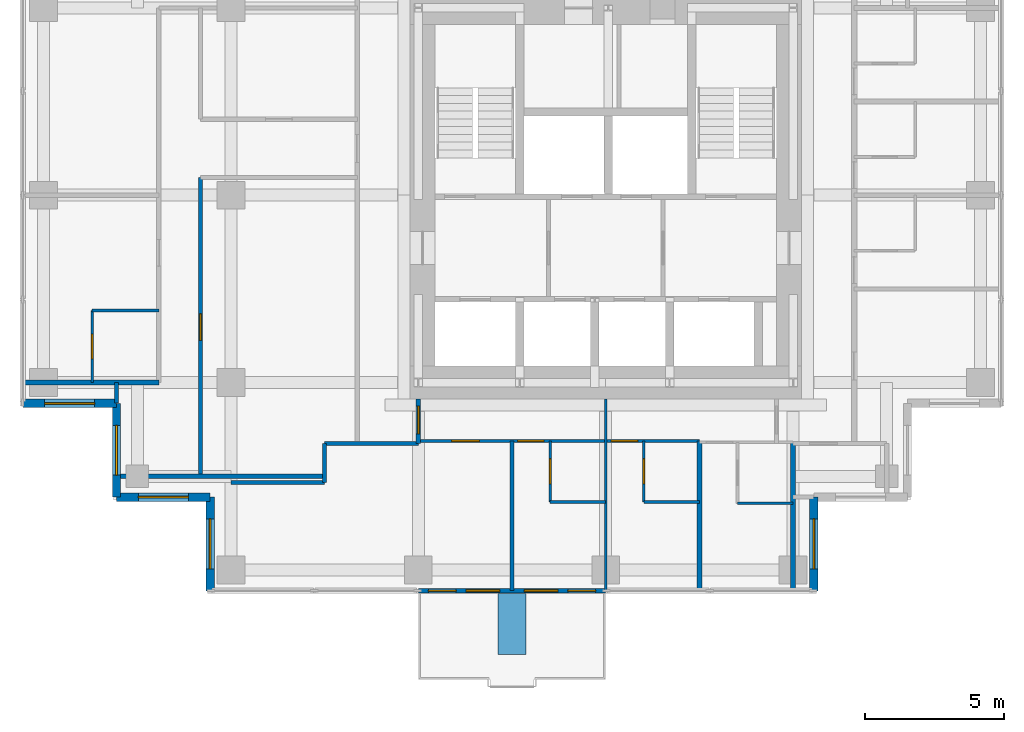
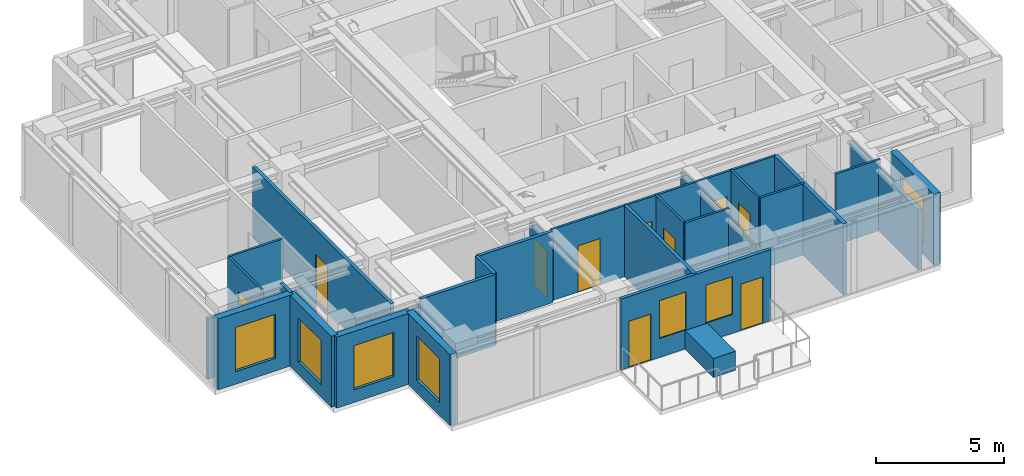
# One storey, part 3 of 8: 27 walls, 10 doors, 7 windows, 17 openings.
"""IFC4 building model written with IfcOpenShell, lengths in metres."""

from ifc_helpers import new_model, si_unit, direction, frame, frame_2d, origin, place, context, subcontext, project, spatial, rectangle, extrude, material, layer, layer_set, type_object, element, fill, save


model = new_model("IFC4")

# Units and contexts
model_context = context("Model", 3, precision=1e-05, world=origin(), true_north=direction((0.0, 1.0)))
body_context = subcontext(model_context, "Body", "Model", "MODEL_VIEW")
ifc_project = project(units=[si_unit("LENGTHUNIT", "METRE"), si_unit("AREAUNIT", "SQUARE_METRE"), si_unit("VOLUMEUNIT", "CUBIC_METRE"), si_unit("PLANEANGLEUNIT", "RADIAN"), si_unit("MASSUNIT", "GRAM", prefix="KILO")], contexts=[model_context])

# Site, building, storey
site_placement = place(None, origin())
site = spatial("IfcSite", under=ifc_project, at=site_placement, CompositionType="ELEMENT")
building_placement = place(site_placement, origin())
building = spatial("IfcBuilding", under=site, at=building_placement, Name="Nyansa Garden Tower", CompositionType="ELEMENT")
storey_placement = place(building_placement, frame((0.0, 0.0, 233.10009765625)))
storey = spatial("IfcBuildingStorey", under=building, at=storey_placement, Name="L63", CompositionType="ELEMENT", Elevation=233.10009765625)

# Walls
ifc_material_1 = material(Name="Dense blockwork, plastered both sides, 55 dB", Category="masonry")
ifc_layer_1 = layer(ifc_material_1, 0.175048828125)
ifc_layer_set_1 = layer_set([ifc_layer_1], Name="Acoustic party wall PW175")
wall_type_1 = type_object("IfcWallType", Name="Acoustic party wall PW175", PredefinedType="PARTITIONING", material=ifc_layer_set_1)
wall_1_placement = place(storey_placement, frame((-0.73388671875, 13.5, 0.0), z_axis=(0.0, 0.0, 1.0), x_axis=(1.0, 0.0, 0.0)))
element("IfcWall", 1, at=wall_1_placement, inside=storey, type_object=wall_type_1, Name="Party wall", PredefinedType="PARTITIONING", context=body_context, shape_type="SweptSolid", body=[
    extrude(rectangle(XDim=4.8837890625, YDim=0.175048828125, at=frame_2d((2.44189453125, 0.0))), origin(), (0.0, 0.0, 1.0), 2.876953125),
])
wall_2_placement = place(storey_placement, frame((23.625, 6.01611328125, 0.0), z_axis=(0.0, 0.0, 1.0), x_axis=(0.0, 1.0, 0.0)))
element("IfcWall", 2, at=wall_2_placement, inside=storey, type_object=wall_type_1, Name="Party wall", PredefinedType="PARTITIONING", context=body_context, shape_type="SweptSolid", body=[
    extrude(rectangle(XDim=5.3837890625, YDim=0.175048828125, at=frame_2d((2.69189453125, 0.0))), origin(), (0.0, 0.0, 1.0), 3.375),
])
wall_3_placement = place(storey_placement, frame((27.0, 6.01611328125, 0.0), z_axis=(0.0, 0.0, 1.0), x_axis=(0.0, 1.0, 0.0)))
element("IfcWall", 3, at=wall_3_placement, inside=storey, type_object=wall_type_1, Name="Party wall", PredefinedType="PARTITIONING", context=body_context, shape_type="SweptSolid", body=[
    extrude(rectangle(XDim=5.333984375, YDim=0.175048828125, at=frame_2d((2.6669921875, 0.0))), origin(), (0.0, 0.0, 1.0), 2.876953125),
])

# Wall, openings, doors, windows
ifc_material_2 = material(Name="Black aluminium framed glazed screen", Category="aluminium")
ifc_layer_2 = layer(ifc_material_2, 0.14990234375)
ifc_layer_set_2 = layer_set([ifc_layer_2], Name="Balcony screen wall BW150")
wall_type_2 = type_object("IfcWallType", Name="Balcony screen wall BW150", PredefinedType="SOLIDWALL", material=ifc_layer_set_2)
wall_4_placement = place(storey_placement, frame((20.25, 6.0, 0.0), z_axis=(0.0, 0.0, 1.0), x_axis=(-1.0, 0.0, 0.0)))
wall_4 = element("IfcWall", 4, at=wall_4_placement, inside=storey, type_object=wall_type_2, Name="Glazed screen wall L63 S", PredefinedType="SOLIDWALL", context=body_context, shape_type="SweptSolid", body=[
    extrude(rectangle(XDim=6.75, YDim=0.14990234375, at=frame_2d((3.375, 0.0))), origin(), (0.0, 0.0, 1.0), 3.375),
])
opening_1_placement = place(wall_4_placement, frame((0.362548828125, 0.0, 0.0)))
opening_1 = element("IfcOpeningElement", 5, at=opening_1_placement, cuts=wall_4, Name="Opening D20", PredefinedType="OPENING", context=body_context, shape_type="SweptSolid", body=[
    extrude(rectangle(XDim=1.0, YDim=2.199951171875, at=frame_2d((0.5, 1.10009765625))), frame((0.0, 0.0849609375, 0.0), z_axis=(0.0, -1.0, 0.0), x_axis=(1.0, 0.0, 0.0)), (0.0, 0.0, 1.0), 0.169921875),
])
opening_2_placement = place(wall_4_placement, frame((1.72509765625, 0.0, 0.89990234375)))
opening_2 = element("IfcOpeningElement", 6, at=opening_2_placement, cuts=wall_4, Name="Opening W6", PredefinedType="OPENING", context=body_context, shape_type="SweptSolid", body=[
    extrude(rectangle(XDim=1.199951171875, YDim=1.800048828125, at=frame_2d((0.60009765625, 0.89990234375))), frame((0.0, 0.0849609375, 0.0), z_axis=(0.0, -1.0, 0.0), x_axis=(1.0, 0.0, 0.0)), (0.0, 0.0, 1.0), 0.169921875),
])
opening_3_placement = place(wall_4_placement, frame((5.387451171875, 0.0, 0.0)))
opening_3 = element("IfcOpeningElement", 7, at=opening_3_placement, cuts=wall_4, Name="Opening D20", PredefinedType="OPENING", context=body_context, shape_type="SweptSolid", body=[
    extrude(rectangle(XDim=1.0, YDim=2.199951171875, at=frame_2d((0.5, 1.10009765625))), frame((0.0, 0.0849609375, 0.0), z_axis=(0.0, -1.0, 0.0), x_axis=(1.0, 0.0, 0.0)), (0.0, 0.0, 1.0), 0.169921875),
])
opening_4_placement = place(wall_4_placement, frame((3.824951171875, 0.0, 0.89990234375)))
opening_4 = element("IfcOpeningElement", 8, at=opening_4_placement, cuts=wall_4, Name="Opening W6", PredefinedType="OPENING", context=body_context, shape_type="SweptSolid", body=[
    extrude(rectangle(XDim=1.199951171875, YDim=1.800048828125, at=frame_2d((0.60009765625, 0.89990234375))), frame((0.0, 0.0849609375, 0.0), z_axis=(0.0, -1.0, 0.0), x_axis=(1.0, 0.0, 0.0)), (0.0, 0.0, 1.0), 0.169921875),
])
ifc_material_3 = material(Name="Black aluminium framed glazed door", Category="aluminium")
door_type_1 = type_object("IfcDoorType", Name="Balcony door D20 1000x2200", OperationType="NOTDEFINED", PredefinedType="DOOR", material=ifc_material_3)
door_1_placement = place(opening_1_placement, origin())
door_1 = element("IfcDoor", 9, at=door_1_placement, inside=storey, type_object=door_type_1, Name="Balcony door L63", OperationType="SINGLE_SWING_LEFT", OverallHeight=2.199951171875, OverallWidth=1.0, PredefinedType="DOOR", context=body_context, shape_type="SweptSolid", body=[
    extrude(rectangle(XDim=1.0, YDim=2.199951171875, at=frame_2d((0.5, 1.10009765625))), frame((0.0, 0.02490234375, 0.0), z_axis=(0.0, -1.0, 0.0), x_axis=(1.0, 0.0, 0.0)), (0.0, 0.0, 1.0), 0.050048828125),
])
fill(opening_1, door_1)
door_2_placement = place(opening_3_placement, origin())
door_2 = element("IfcDoor", 10, at=door_2_placement, inside=storey, type_object=door_type_1, Name="Balcony door L63", OperationType="SINGLE_SWING_RIGHT", OverallHeight=2.199951171875, OverallWidth=1.0, PredefinedType="DOOR", context=body_context, shape_type="SweptSolid", body=[
    extrude(rectangle(XDim=1.0, YDim=2.199951171875, at=frame_2d((0.5, 1.10009765625))), frame((0.0, 0.02490234375, 0.0), z_axis=(0.0, -1.0, 0.0), x_axis=(1.0, 0.0, 0.0)), (0.0, 0.0, 1.0), 0.050048828125),
])
fill(opening_3, door_2)
ifc_material_4 = material(Name="Black aluminium frame, dark tinted double glazing", Category="aluminium")
window_type_1 = type_object("IfcWindowType", Name="Balcony window W6 1200x1800", PartitioningType="SINGLE_PANEL", PredefinedType="WINDOW", material=ifc_material_4)
window_1_placement = place(opening_2_placement, origin())
window_1 = element("IfcWindow", 11, at=window_1_placement, inside=storey, type_object=window_type_1, Name="Window L63", OverallHeight=1.800048828125, OverallWidth=1.199951171875, PartitioningType="SINGLE_PANEL", PredefinedType="WINDOW", context=body_context, shape_type="SweptSolid", body=[
    extrude(rectangle(XDim=1.199951171875, YDim=1.800048828125, at=frame_2d((0.60009765625, 0.89990234375))), frame((0.0, 0.030029296875, 0.0), z_axis=(0.0, -1.0, 0.0), x_axis=(1.0, 0.0, 0.0)), (0.0, 0.0, 1.0), 0.06005859375),
])
fill(opening_2, window_1)
window_2_placement = place(opening_4_placement, origin())
window_2 = element("IfcWindow", 12, at=window_2_placement, inside=storey, type_object=window_type_1, Name="Window L63", OverallHeight=1.800048828125, OverallWidth=1.199951171875, PartitioningType="SINGLE_PANEL", PredefinedType="WINDOW", context=body_context, shape_type="SweptSolid", body=[
    extrude(rectangle(XDim=1.199951171875, YDim=1.800048828125, at=frame_2d((0.60009765625, 0.89990234375))), frame((0.0, 0.030029296875, 0.0), z_axis=(0.0, -1.0, 0.0), x_axis=(1.0, 0.0, 0.0)), (0.0, 0.0, 1.0), 0.06005859375),
])
fill(opening_4, window_2)

# Walls
ifc_material_5 = material(Name="Blockwork, plastered both sides", Category="masonry")
ifc_layer_3 = layer(ifc_material_5, 0.14990234375)
ifc_layer_set_3 = layer_set([ifc_layer_3], Name="Partition PW150")
wall_type_3 = type_object("IfcWallType", Name="Partition PW150", PredefinedType="PARTITIONING", material=ifc_layer_set_3)
wall_5_placement = place(storey_placement, frame((2.625, 12.76611328125, 0.0), z_axis=(0.0, 0.0, 1.0), x_axis=(0.0, 1.0, 0.0)))
element("IfcWall", 13, at=wall_5_placement, inside=storey, type_object=wall_type_3, Name="Partition", PredefinedType="PARTITIONING", context=body_context, shape_type="SweptSolid", body=[
    extrude(rectangle(XDim=0.73388671875, YDim=0.14990234375, at=frame_2d((0.366943359375, 0.0))), origin(), (0.0, 0.0, 1.0), 3.375),
])
wall_6_placement = place(storey_placement, frame((2.77490234375, 10.125, 0.0), z_axis=(0.0, 0.0, 1.0), x_axis=(1.0, 0.0, 0.0)))
element("IfcWall", 14, at=wall_6_placement, inside=storey, type_object=wall_type_3, Name="Partition", PredefinedType="PARTITIONING", context=body_context, shape_type="SweptSolid", body=[
    extrude(rectangle(XDim=7.35009765625, YDim=0.14990234375, at=frame_2d((3.675048828125, 0.0))), origin(), (0.0, 0.0, 1.0), 2.876953125),
])

# Wall, opening, door
wall_7_placement = place(storey_placement, frame((5.64990234375, 10.125, 0.0), z_axis=(0.0, 0.0, 1.0), x_axis=(0.0, 1.0, 0.0)))
wall_7 = element("IfcWall", 15, at=wall_7_placement, inside=storey, type_object=wall_type_3, Name="Partition", PredefinedType="PARTITIONING", context=body_context, shape_type="SweptSolid", body=[
    extrude(rectangle(XDim=10.762451171875, YDim=0.14990234375, at=frame_2d((5.38134765625, 0.0))), origin(), (0.0, 0.0, 1.0), 3.375),
])
opening_5_placement = place(wall_7_placement, frame((4.89990234375, 0.0, 0.0)))
opening_5 = element("IfcOpeningElement", 16, at=opening_5_placement, cuts=wall_7, Name="Opening D01", PredefinedType="OPENING", context=body_context, shape_type="SweptSolid", body=[
    extrude(rectangle(XDim=0.949951171875, YDim=2.199951171875, at=frame_2d((0.47509765625, 1.10009765625))), frame((0.0, 0.0849609375, 0.0), z_axis=(0.0, -1.0, 0.0), x_axis=(1.0, 0.0, 0.0)), (0.0, 0.0, 1.0), 0.169921875),
])
ifc_material_6 = material(Name="Timber flush door, 30 minute fire resisting", Category="wood")
door_type_2 = type_object("IfcDoorType", Name="Bedroom door D01 950x2200", OperationType="SINGLE_SWING_LEFT", PredefinedType="DOOR", material=ifc_material_6)
door_3_placement = place(opening_5_placement, origin())
door_3 = element("IfcDoor", 17, at=door_3_placement, inside=storey, type_object=door_type_2, Name="Door L63-051", OperationType="SINGLE_SWING_LEFT", OverallHeight=2.199951171875, OverallWidth=0.949951171875, PredefinedType="DOOR", context=body_context, shape_type="SweptSolid", body=[
    extrude(rectangle(XDim=0.949951171875, YDim=2.199951171875, at=frame_2d((0.47509765625, 1.10009765625))), frame((0.0, 0.02490234375, 0.0), z_axis=(0.0, -1.0, 0.0), x_axis=(1.0, 0.0, 0.0)), (0.0, 0.0, 1.0), 0.050048828125),
])
fill(opening_5, door_3)

# Walls
wall_8_placement = place(storey_placement, frame((6.75, 9.89990234375, 0.0), z_axis=(0.0, 0.0, 1.0), x_axis=(1.0, 0.0, 0.0)))
element("IfcWall", 18, at=wall_8_placement, inside=storey, type_object=wall_type_3, Name="Partition", PredefinedType="PARTITIONING", context=body_context, shape_type="SweptSolid", body=[
    extrude(rectangle(XDim=3.375, YDim=0.14990234375, at=frame_2d((1.6875, 0.0))), origin(), (0.0, 0.0, 1.0), 3.375),
])
wall_9_placement = place(storey_placement, frame((10.125, 9.89990234375, 0.0), z_axis=(0.0, 0.0, 1.0), x_axis=(0.0, 1.0, 0.0)))
element("IfcWall", 19, at=wall_9_placement, inside=storey, type_object=wall_type_3, Name="Partition", PredefinedType="PARTITIONING", context=body_context, shape_type="SweptSolid", body=[
    extrude(rectangle(XDim=1.400146484375, YDim=0.14990234375, at=frame_2d((0.7001953125, 0.0))), origin(), (0.0, 0.0, 1.0), 3.375),
])
wall_10_placement = place(storey_placement, frame((10.125, 11.300048828125, 0.0), z_axis=(0.0, 0.0, 1.0), x_axis=(1.0, 0.0, 0.0)))
element("IfcWall", 20, at=wall_10_placement, inside=storey, type_object=wall_type_3, Name="Partition", PredefinedType="PARTITIONING", context=body_context, shape_type="SweptSolid", body=[
    extrude(rectangle(XDim=3.375, YDim=0.14990234375, at=frame_2d((1.6875, 0.0))), origin(), (0.0, 0.0, 1.0), 3.375),
])

# Wall, opening, door
wall_11_placement = place(storey_placement, frame((13.5, 11.300048828125, 0.0), z_axis=(0.0, 0.0, 1.0), x_axis=(0.0, 1.0, 0.0)))
wall_11 = element("IfcWall", 21, at=wall_11_placement, inside=storey, type_object=wall_type_3, Name="Partition", PredefinedType="PARTITIONING", context=body_context, shape_type="SweptSolid", body=[
    extrude(rectangle(XDim=1.599853515625, YDim=0.14990234375, at=frame_2d((0.7998046875, 0.0))), origin(), (0.0, 0.0, 1.0), 2.876953125),
])
opening_6_placement = place(wall_11_placement, frame((0.35009765625, 0.0, 0.0)))
opening_6 = element("IfcOpeningElement", 22, at=opening_6_placement, cuts=wall_11, Name="Opening D03", PredefinedType="OPENING", context=body_context, shape_type="SweptSolid", body=[
    extrude(rectangle(XDim=1.0, YDim=2.199951171875, at=frame_2d((0.5, 1.10009765625))), frame((0.0, 0.0849609375, 0.0), z_axis=(0.0, -1.0, 0.0), x_axis=(1.0, 0.0, 0.0)), (0.0, 0.0, 1.0), 0.169921875),
])
ifc_material_7 = material(Name="Timber flush door, 60 minute fire resisting", Category="wood")
door_type_3 = type_object("IfcDoorType", Name="Cluster entrance door D03 1000x2200", OperationType="SINGLE_SWING_LEFT", PredefinedType="DOOR", material=ifc_material_7)
door_4_placement = place(opening_6_placement, origin())
door_4 = element("IfcDoor", 23, at=door_4_placement, inside=storey, type_object=door_type_3, Name="Door L63-019", OperationType="SINGLE_SWING_LEFT", OverallHeight=2.199951171875, OverallWidth=1.0, PredefinedType="DOOR", context=body_context, shape_type="SweptSolid", body=[
    extrude(rectangle(XDim=1.0, YDim=2.199951171875, at=frame_2d((0.5, 1.10009765625))), frame((0.0, 0.02490234375, 0.0), z_axis=(0.0, -1.0, 0.0), x_axis=(1.0, 0.0, 0.0)), (0.0, 0.0, 1.0), 0.050048828125),
])
fill(opening_6, door_4)

# Wall
wall_12_placement = place(storey_placement, frame((16.875, 6.01611328125, 0.0), z_axis=(0.0, 0.0, 1.0), x_axis=(0.0, 1.0, 0.0)))
element("IfcWall", 24, at=wall_12_placement, inside=storey, type_object=wall_type_3, Name="Partition", PredefinedType="PARTITIONING", context=body_context, shape_type="SweptSolid", body=[
    extrude(rectangle(XDim=5.3837890625, YDim=0.14990234375, at=frame_2d((2.69189453125, 0.0))), origin(), (0.0, 0.0, 1.0), 3.375),
])

# Wall, opening, window
ifc_material_8 = material(Name="Turquoise glazed tile on concrete blockwork", Category="masonry")
ifc_layer_4 = layer(ifc_material_8, 0.300048828125)
ifc_layer_set_4 = layer_set([ifc_layer_4], Name="Tiled corner wall TW300")
wall_type_4 = type_object("IfcWallType", Name="Tiled corner wall TW300", PredefinedType="SOLIDWALL", material=ifc_layer_set_4)
wall_13_placement = place(storey_placement, frame((-0.75, 12.75, 0.0), z_axis=(0.0, 0.0, 1.0), x_axis=(1.0, 0.0, 0.0)))
wall_13 = element("IfcWall", 25, at=wall_13_placement, inside=storey, type_object=wall_type_4, Name="Tiled corner wall L63", PredefinedType="SOLIDWALL", context=body_context, shape_type="SweptSolid", body=[
    extrude(rectangle(XDim=3.375, YDim=0.300048828125, at=frame_2d((1.6875, 0.0))), origin(), (0.0, 0.0, 1.0), 3.375),
])
opening_7_placement = place(wall_13_placement, frame((0.78759765625, 0.0, 0.60009765625)))
opening_7 = element("IfcOpeningElement", 26, at=opening_7_placement, cuts=wall_13, Name="Opening W2", PredefinedType="OPENING", context=body_context, shape_type="SweptSolid", body=[
    extrude(rectangle(XDim=1.800048828125, YDim=2.10009765625, at=frame_2d((0.89990234375, 1.050048828125))), frame((0.0, 0.159912109375, 0.0), z_axis=(0.0, -1.0, 0.0), x_axis=(1.0, 0.0, 0.0)), (0.0, 0.0, 1.0), 0.320068359375),
])
ifc_material_9 = material(Name="Black aluminium frame, dark tinted double glazing", Category="aluminium")
window_type_2 = type_object("IfcWindowType", Name="Window W2 1800x2100", PartitioningType="SINGLE_PANEL", PredefinedType="WINDOW", material=ifc_material_9)
window_3_placement = place(opening_7_placement, origin())
window_3 = element("IfcWindow", 27, at=window_3_placement, inside=storey, type_object=window_type_2, Name="Corner window L63", OverallHeight=2.10009765625, OverallWidth=1.800048828125, PartitioningType="SINGLE_PANEL", PredefinedType="WINDOW", context=body_context, shape_type="SweptSolid", body=[
    extrude(rectangle(XDim=1.800048828125, YDim=2.10009765625, at=frame_2d((0.89990234375, 1.050048828125))), frame((0.0, 0.030029296875, 0.0), z_axis=(0.0, -1.0, 0.0), x_axis=(1.0, 0.0, 0.0)), (0.0, 0.0, 1.0), 0.06005859375),
])
fill(opening_7, window_3)

wall_14_placement = place(storey_placement, frame((2.625, 12.75, 0.0), z_axis=(0.0, 0.0, 1.0), x_axis=(0.0, -1.0, 0.0)))
wall_14 = element("IfcWall", 28, at=wall_14_placement, inside=storey, type_object=wall_type_4, Name="Tiled corner wall L63", PredefinedType="SOLIDWALL", context=body_context, shape_type="SweptSolid", body=[
    extrude(rectangle(XDim=3.375, YDim=0.300048828125, at=frame_2d((1.6875, 0.0))), origin(), (0.0, 0.0, 1.0), 3.375),
])
opening_8_placement = place(wall_14_placement, frame((0.78759765625, 0.0, 0.60009765625)))
opening_8 = element("IfcOpeningElement", 29, at=opening_8_placement, cuts=wall_14, Name="Opening W2", PredefinedType="OPENING", context=body_context, shape_type="SweptSolid", body=[
    extrude(rectangle(XDim=1.800048828125, YDim=2.10009765625, at=frame_2d((0.89990234375, 1.050048828125))), frame((0.0, 0.159912109375, 0.0), z_axis=(0.0, -1.0, 0.0), x_axis=(1.0, 0.0, 0.0)), (0.0, 0.0, 1.0), 0.320068359375),
])
window_4_placement = place(opening_8_placement, origin())
window_4 = element("IfcWindow", 30, at=window_4_placement, inside=storey, type_object=window_type_2, Name="Corner window L63", OverallHeight=2.10009765625, OverallWidth=1.800048828125, PartitioningType="SINGLE_PANEL", PredefinedType="WINDOW", context=body_context, shape_type="SweptSolid", body=[
    extrude(rectangle(XDim=1.800048828125, YDim=2.10009765625, at=frame_2d((0.89990234375, 1.050048828125))), frame((0.0, 0.030029296875, 0.0), z_axis=(0.0, -1.0, 0.0), x_axis=(1.0, 0.0, 0.0)), (0.0, 0.0, 1.0), 0.06005859375),
])
fill(opening_8, window_4)

wall_15_placement = place(storey_placement, frame((2.625, 9.375, 0.0), z_axis=(0.0, 0.0, 1.0), x_axis=(1.0, 0.0, 0.0)))
wall_15 = element("IfcWall", 31, at=wall_15_placement, inside=storey, type_object=wall_type_4, Name="Tiled corner wall L63", PredefinedType="SOLIDWALL", context=body_context, shape_type="SweptSolid", body=[
    extrude(rectangle(XDim=3.375, YDim=0.300048828125, at=frame_2d((1.6875, 0.0))), origin(), (0.0, 0.0, 1.0), 3.375),
])
opening_9_placement = place(wall_15_placement, frame((0.78759765625, 0.0, 0.60009765625)))
opening_9 = element("IfcOpeningElement", 32, at=opening_9_placement, cuts=wall_15, Name="Opening W2", PredefinedType="OPENING", context=body_context, shape_type="SweptSolid", body=[
    extrude(rectangle(XDim=1.800048828125, YDim=2.10009765625, at=frame_2d((0.89990234375, 1.050048828125))), frame((0.0, 0.159912109375, 0.0), z_axis=(0.0, -1.0, 0.0), x_axis=(1.0, 0.0, 0.0)), (0.0, 0.0, 1.0), 0.320068359375),
])
window_5_placement = place(opening_9_placement, origin())
window_5 = element("IfcWindow", 33, at=window_5_placement, inside=storey, type_object=window_type_2, Name="Corner window L63", OverallHeight=2.10009765625, OverallWidth=1.800048828125, PartitioningType="SINGLE_PANEL", PredefinedType="WINDOW", context=body_context, shape_type="SweptSolid", body=[
    extrude(rectangle(XDim=1.800048828125, YDim=2.10009765625, at=frame_2d((0.89990234375, 1.050048828125))), frame((0.0, 0.030029296875, 0.0), z_axis=(0.0, -1.0, 0.0), x_axis=(1.0, 0.0, 0.0)), (0.0, 0.0, 1.0), 0.06005859375),
])
fill(opening_9, window_5)

wall_16_placement = place(storey_placement, frame((6.0, 9.375, 0.0), z_axis=(0.0, 0.0, 1.0), x_axis=(0.0, -1.0, 0.0)))
wall_16 = element("IfcWall", 34, at=wall_16_placement, inside=storey, type_object=wall_type_4, Name="Tiled corner wall L63", PredefinedType="SOLIDWALL", context=body_context, shape_type="SweptSolid", body=[
    extrude(rectangle(XDim=3.375, YDim=0.300048828125, at=frame_2d((1.6875, 0.0))), origin(), (0.0, 0.0, 1.0), 3.375),
])
opening_10_placement = place(wall_16_placement, frame((0.78759765625, 0.0, 0.60009765625)))
opening_10 = element("IfcOpeningElement", 35, at=opening_10_placement, cuts=wall_16, Name="Opening W2", PredefinedType="OPENING", context=body_context, shape_type="SweptSolid", body=[
    extrude(rectangle(XDim=1.800048828125, YDim=2.10009765625, at=frame_2d((0.89990234375, 1.050048828125))), frame((0.0, 0.159912109375, 0.0), z_axis=(0.0, -1.0, 0.0), x_axis=(1.0, 0.0, 0.0)), (0.0, 0.0, 1.0), 0.320068359375),
])
window_6_placement = place(opening_10_placement, origin())
window_6 = element("IfcWindow", 36, at=window_6_placement, inside=storey, type_object=window_type_2, Name="Corner window L63", OverallHeight=2.10009765625, OverallWidth=1.800048828125, PartitioningType="SINGLE_PANEL", PredefinedType="WINDOW", context=body_context, shape_type="SweptSolid", body=[
    extrude(rectangle(XDim=1.800048828125, YDim=2.10009765625, at=frame_2d((0.89990234375, 1.050048828125))), frame((0.0, 0.030029296875, 0.0), z_axis=(0.0, -1.0, 0.0), x_axis=(1.0, 0.0, 0.0)), (0.0, 0.0, 1.0), 0.06005859375),
])
fill(opening_10, window_6)

wall_17_placement = place(storey_placement, frame((27.75, 6.0, 0.0), z_axis=(0.0, 0.0, 1.0), x_axis=(0.0, 1.0, 0.0)))
wall_17 = element("IfcWall", 37, at=wall_17_placement, inside=storey, type_object=wall_type_4, Name="Tiled corner wall L63", PredefinedType="SOLIDWALL", context=body_context, shape_type="SweptSolid", body=[
    extrude(rectangle(XDim=3.375, YDim=0.300048828125, at=frame_2d((1.6875, 0.0))), origin(), (0.0, 0.0, 1.0), 3.375),
])
opening_11_placement = place(wall_17_placement, frame((0.78759765625, 0.0, 0.60009765625)))
opening_11 = element("IfcOpeningElement", 38, at=opening_11_placement, cuts=wall_17, Name="Opening W2", PredefinedType="OPENING", context=body_context, shape_type="SweptSolid", body=[
    extrude(rectangle(XDim=1.800048828125, YDim=2.10009765625, at=frame_2d((0.89990234375, 1.050048828125))), frame((0.0, 0.159912109375, 0.0), z_axis=(0.0, -1.0, 0.0), x_axis=(1.0, 0.0, 0.0)), (0.0, 0.0, 1.0), 0.320068359375),
])
window_7_placement = place(opening_11_placement, origin())
window_7 = element("IfcWindow", 39, at=window_7_placement, inside=storey, type_object=window_type_2, Name="Corner window L63", OverallHeight=2.10009765625, OverallWidth=1.800048828125, PartitioningType="SINGLE_PANEL", PredefinedType="WINDOW", context=body_context, shape_type="SweptSolid", body=[
    extrude(rectangle(XDim=1.800048828125, YDim=2.10009765625, at=frame_2d((0.89990234375, 1.050048828125))), frame((0.0, 0.030029296875, 0.0), z_axis=(0.0, -1.0, 0.0), x_axis=(1.0, 0.0, 0.0)), (0.0, 0.0, 1.0), 0.06005859375),
])
fill(opening_11, window_7)

# Wall
ifc_material_10 = material(Name="Concrete C40/50 planter, waterproofed", Category="concrete")
ifc_layer_5 = layer(ifc_material_10, 1.0)
ifc_layer_set_5 = layer_set([ifc_layer_5], Name="Tree planter TP1")
wall_type_5 = type_object("IfcWallType", Name="Tree planter TP1", PredefinedType="USERDEFINED", material=ifc_layer_set_5)
wall_18_placement = place(storey_placement, frame((16.875, 5.89990234375, 0.0), z_axis=(0.0, 0.0, 1.0), x_axis=(0.0, -1.0, 0.0)))
element("IfcWall", 40, at=wall_18_placement, inside=storey, type_object=wall_type_5, Name="Tree planter L63", ObjectType="TREE PLANTER", PredefinedType="USERDEFINED", context=body_context, shape_type="SweptSolid", body=[
    extrude(rectangle(XDim=2.199951171875, YDim=1.0, at=frame_2d((1.10009765625, 0.0))), origin(), (0.0, 0.0, 1.0), 0.89990234375),
])

# Wall, opening, door
ifc_material_11 = material(Name="Moisture resistant board on steel studs, tiled", Category="steel")
ifc_layer_6 = layer(ifc_material_11, 0.10009765625)
ifc_layer_set_6 = layer_set([ifc_layer_6], Name="Wet wall PW100")
wall_type_6 = type_object("IfcWallType", Name="Wet wall PW100", PredefinedType="PARTITIONING", material=ifc_layer_set_6)
wall_19_placement = place(storey_placement, frame((1.75, 13.5, 0.0), z_axis=(0.0, 0.0, 1.0), x_axis=(0.0, 1.0, 0.0)))
wall_19 = element("IfcWall", 41, at=wall_19_placement, inside=storey, type_object=wall_type_6, Name="Wet wall", PredefinedType="PARTITIONING", context=body_context, shape_type="SweptSolid", body=[
    extrude(rectangle(XDim=2.60009765625, YDim=0.10009765625, at=frame_2d((1.300048828125, 0.0))), origin(), (0.0, 0.0, 1.0), 3.375),
])
opening_12_placement = place(wall_19_placement, frame((0.85009765625, 0.0, 0.0)))
opening_12 = element("IfcOpeningElement", 42, at=opening_12_placement, cuts=wall_19, Name="Opening D02", PredefinedType="OPENING", context=body_context, shape_type="SweptSolid", body=[
    extrude(rectangle(XDim=0.89990234375, YDim=2.199951171875, at=frame_2d((0.449951171875, 1.10009765625))), frame((0.0, 0.06005859375, 0.0), z_axis=(0.0, -1.0, 0.0), x_axis=(1.0, 0.0, 0.0)), (0.0, 0.0, 1.0), 0.1201171875),
])
ifc_material_12 = material(Name="Timber flush door", Category="wood")
door_type_4 = type_object("IfcDoorType", Name="En-suite door D02 900x2200", OperationType="SINGLE_SWING_RIGHT", PredefinedType="DOOR", material=ifc_material_12)
door_5_placement = place(opening_12_placement, origin())
door_5 = element("IfcDoor", 43, at=door_5_placement, inside=storey, type_object=door_type_4, Name="Door L63-048", OperationType="SINGLE_SWING_RIGHT", OverallHeight=2.199951171875, OverallWidth=0.89990234375, PredefinedType="DOOR", context=body_context, shape_type="SweptSolid", body=[
    extrude(rectangle(XDim=0.89990234375, YDim=2.199951171875, at=frame_2d((0.449951171875, 1.10009765625))), frame((0.0, 0.02490234375, 0.0), z_axis=(0.0, -1.0, 0.0), x_axis=(1.0, 0.0, 0.0)), (0.0, 0.0, 1.0), 0.050048828125),
])
fill(opening_12, door_5)

# Wall
wall_20_placement = place(storey_placement, frame((1.75, 16.10009765625, 0.0), z_axis=(0.0, 0.0, 1.0), x_axis=(1.0, 0.0, 0.0)))
element("IfcWall", 44, at=wall_20_placement, inside=storey, type_object=wall_type_6, Name="Wet wall", PredefinedType="PARTITIONING", context=body_context, shape_type="SweptSolid", body=[
    extrude(rectangle(XDim=2.39990234375, YDim=0.10009765625, at=frame_2d((1.199951171875, 0.0))), origin(), (0.0, 0.0, 1.0), 3.375),
])

# Wall, openings, doors
wall_21_placement = place(storey_placement, frame((13.5, 11.39990234375, 0.0), z_axis=(0.0, 0.0, 1.0), x_axis=(1.0, 0.0, 0.0)))
wall_21 = element("IfcWall", 45, at=wall_21_placement, inside=storey, type_object=wall_type_6, Name="Wet wall", PredefinedType="PARTITIONING", context=body_context, shape_type="SweptSolid", body=[
    extrude(rectangle(XDim=10.125, YDim=0.10009765625, at=frame_2d((5.0625, 0.0))), origin(), (0.0, 0.0, 1.0), 3.375),
])
opening_13_placement = place(wall_21_placement, frame((1.199951171875, 0.0, 0.0)))
opening_13 = element("IfcOpeningElement", 46, at=opening_13_placement, cuts=wall_21, Name="Opening D03", PredefinedType="OPENING", context=body_context, shape_type="SweptSolid", body=[
    extrude(rectangle(XDim=1.0, YDim=2.199951171875, at=frame_2d((0.5, 1.10009765625))), frame((0.0, 0.06005859375, 0.0), z_axis=(0.0, -1.0, 0.0), x_axis=(1.0, 0.0, 0.0)), (0.0, 0.0, 1.0), 0.1201171875),
])
opening_14_placement = place(wall_21_placement, frame((3.574951171875, 0.0, 0.0)))
opening_14 = element("IfcOpeningElement", 47, at=opening_14_placement, cuts=wall_21, Name="Opening D01", PredefinedType="OPENING", context=body_context, shape_type="SweptSolid", body=[
    extrude(rectangle(XDim=0.949951171875, YDim=2.199951171875, at=frame_2d((0.47509765625, 1.10009765625))), frame((0.0, 0.06005859375, 0.0), z_axis=(0.0, -1.0, 0.0), x_axis=(1.0, 0.0, 0.0)), (0.0, 0.0, 1.0), 0.1201171875),
])
opening_15_placement = place(wall_21_placement, frame((6.949951171875, 0.0, 0.0)))
opening_15 = element("IfcOpeningElement", 48, at=opening_15_placement, cuts=wall_21, Name="Opening D14", PredefinedType="OPENING", context=body_context, shape_type="SweptSolid", body=[
    extrude(rectangle(XDim=0.949951171875, YDim=2.199951171875, at=frame_2d((0.47509765625, 1.10009765625))), frame((0.0, 0.06005859375, 0.0), z_axis=(0.0, -1.0, 0.0), x_axis=(1.0, 0.0, 0.0)), (0.0, 0.0, 1.0), 0.1201171875),
])
door_6_placement = place(opening_14_placement, origin())
door_6 = element("IfcDoor", 49, at=door_6_placement, inside=storey, type_object=door_type_2, Name="Door L63-017", OperationType="SINGLE_SWING_LEFT", OverallHeight=2.199951171875, OverallWidth=0.949951171875, PredefinedType="DOOR", context=body_context, shape_type="SweptSolid", body=[
    extrude(rectangle(XDim=0.949951171875, YDim=2.199951171875, at=frame_2d((0.47509765625, 1.10009765625))), frame((0.0, 0.02490234375, 0.0), z_axis=(0.0, -1.0, 0.0), x_axis=(1.0, 0.0, 0.0)), (0.0, 0.0, 1.0), 0.050048828125),
])
fill(opening_14, door_6)
door_7_placement = place(opening_13_placement, origin())
door_7 = element("IfcDoor", 50, at=door_7_placement, inside=storey, type_object=door_type_3, Name="Door L63-016", OperationType="SINGLE_SWING_LEFT", OverallHeight=2.199951171875, OverallWidth=1.0, PredefinedType="DOOR", context=body_context, shape_type="SweptSolid", body=[
    extrude(rectangle(XDim=1.0, YDim=2.199951171875, at=frame_2d((0.5, 1.10009765625))), frame((0.0, 0.02490234375, 0.0), z_axis=(0.0, -1.0, 0.0), x_axis=(1.0, 0.0, 0.0)), (0.0, 0.0, 1.0), 0.050048828125),
])
fill(opening_13, door_7)
ifc_material_13 = material(Name="Timber flush door, 60 minute fire resisting, self-closing", Category="wood")
door_type_5 = type_object("IfcDoorType", Name="Studio entrance door D14 950x2200", OperationType="SINGLE_SWING_LEFT", PredefinedType="DOOR", material=ifc_material_13)
door_8_placement = place(opening_15_placement, origin())
door_8 = element("IfcDoor", 51, at=door_8_placement, inside=storey, type_object=door_type_5, Name="Door L63-020", OperationType="SINGLE_SWING_LEFT", OverallHeight=2.199951171875, OverallWidth=0.949951171875, PredefinedType="DOOR", context=body_context, shape_type="SweptSolid", body=[
    extrude(rectangle(XDim=0.949951171875, YDim=2.199951171875, at=frame_2d((0.47509765625, 1.10009765625))), frame((0.0, 0.02490234375, 0.0), z_axis=(0.0, -1.0, 0.0), x_axis=(1.0, 0.0, 0.0)), (0.0, 0.0, 1.0), 0.050048828125),
])
fill(opening_15, door_8)

# Wall, opening, door
wall_22_placement = place(storey_placement, frame((18.25, 9.199951171875, 0.0), z_axis=(0.0, 0.0, 1.0), x_axis=(0.0, 1.0, 0.0)))
wall_22 = element("IfcWall", 52, at=wall_22_placement, inside=storey, type_object=wall_type_6, Name="Wet wall", PredefinedType="PARTITIONING", context=body_context, shape_type="SweptSolid", body=[
    extrude(rectangle(XDim=2.199951171875, YDim=0.10009765625, at=frame_2d((1.10009765625, 0.0))), origin(), (0.0, 0.0, 1.0), 3.375),
])
opening_16_placement = place(wall_22_placement, frame((0.64990234375, 0.0, 0.0)))
opening_16 = element("IfcOpeningElement", 53, at=opening_16_placement, cuts=wall_22, Name="Opening D02", PredefinedType="OPENING", context=body_context, shape_type="SweptSolid", body=[
    extrude(rectangle(XDim=0.89990234375, YDim=2.199951171875, at=frame_2d((0.449951171875, 1.10009765625))), frame((0.0, 0.06005859375, 0.0), z_axis=(0.0, -1.0, 0.0), x_axis=(1.0, 0.0, 0.0)), (0.0, 0.0, 1.0), 0.1201171875),
])
door_9_placement = place(opening_16_placement, origin())
door_9 = element("IfcDoor", 54, at=door_9_placement, inside=storey, type_object=door_type_4, Name="Door L63-018", OperationType="SINGLE_SWING_RIGHT", OverallHeight=2.199951171875, OverallWidth=0.89990234375, PredefinedType="DOOR", context=body_context, shape_type="SweptSolid", body=[
    extrude(rectangle(XDim=0.89990234375, YDim=2.199951171875, at=frame_2d((0.449951171875, 1.10009765625))), frame((0.0, 0.02490234375, 0.0), z_axis=(0.0, -1.0, 0.0), x_axis=(1.0, 0.0, 0.0)), (0.0, 0.0, 1.0), 0.050048828125),
])
fill(opening_16, door_9)

# Walls
wall_23_placement = place(storey_placement, frame((18.25, 9.199951171875, 0.0), z_axis=(0.0, 0.0, 1.0), x_axis=(1.0, 0.0, 0.0)))
element("IfcWall", 55, at=wall_23_placement, inside=storey, type_object=wall_type_6, Name="Wet wall", PredefinedType="PARTITIONING", context=body_context, shape_type="SweptSolid", body=[
    extrude(rectangle(XDim=2.0, YDim=0.10009765625, at=frame_2d((1.0, 0.0))), origin(), (0.0, 0.0, 1.0), 3.375),
])
wall_24_placement = place(storey_placement, frame((20.25, 6.01611328125, 0.0), z_axis=(0.0, 0.0, 1.0), x_axis=(0.0, 1.0, 0.0)))
element("IfcWall", 56, at=wall_24_placement, inside=storey, type_object=wall_type_6, Name="Wet wall", PredefinedType="PARTITIONING", context=body_context, shape_type="SweptSolid", body=[
    extrude(rectangle(XDim=6.8837890625, YDim=0.10009765625, at=frame_2d((3.44189453125, 0.0))), origin(), (0.0, 0.0, 1.0), 2.876953125),
])

# Wall, opening, door
wall_25_placement = place(storey_placement, frame((21.625, 9.199951171875, 0.0), z_axis=(0.0, 0.0, 1.0), x_axis=(0.0, 1.0, 0.0)))
wall_25 = element("IfcWall", 57, at=wall_25_placement, inside=storey, type_object=wall_type_6, Name="Wet wall", PredefinedType="PARTITIONING", context=body_context, shape_type="SweptSolid", body=[
    extrude(rectangle(XDim=2.199951171875, YDim=0.10009765625, at=frame_2d((1.10009765625, 0.0))), origin(), (0.0, 0.0, 1.0), 3.375),
])
opening_17_placement = place(wall_25_placement, frame((0.64990234375, 0.0, 0.0)))
opening_17 = element("IfcOpeningElement", 58, at=opening_17_placement, cuts=wall_25, Name="Opening D02", PredefinedType="OPENING", context=body_context, shape_type="SweptSolid", body=[
    extrude(rectangle(XDim=0.89990234375, YDim=2.199951171875, at=frame_2d((0.449951171875, 1.10009765625))), frame((0.0, 0.06005859375, 0.0), z_axis=(0.0, -1.0, 0.0), x_axis=(1.0, 0.0, 0.0)), (0.0, 0.0, 1.0), 0.1201171875),
])
door_10_placement = place(opening_17_placement, origin())
door_10 = element("IfcDoor", 59, at=door_10_placement, inside=storey, type_object=door_type_4, Name="Door L63-021", OperationType="SINGLE_SWING_RIGHT", OverallHeight=2.199951171875, OverallWidth=0.89990234375, PredefinedType="DOOR", context=body_context, shape_type="SweptSolid", body=[
    extrude(rectangle(XDim=0.89990234375, YDim=2.199951171875, at=frame_2d((0.449951171875, 1.10009765625))), frame((0.0, 0.02490234375, 0.0), z_axis=(0.0, -1.0, 0.0), x_axis=(1.0, 0.0, 0.0)), (0.0, 0.0, 1.0), 0.050048828125),
])
fill(opening_17, door_10)

# Walls
for number, where, z_axis, x_axis, name in (
    (60, (21.625, 9.199951171875, 0.0), (0.0, 0.0, 1.0), (1.0, 0.0, 0.0), "Wet wall"),
    (61, (25.0, 9.14990234375, 0.0), (0.0, 0.0, 1.0), (1.0, 0.0, 0.0), "Wet wall"),
):
    element("IfcWall", number, at=place(storey_placement, frame(where, z_axis=z_axis, x_axis=x_axis)), inside=storey, type_object=wall_type_6, Name=name, PredefinedType="PARTITIONING", context=body_context, shape_type="SweptSolid", body=[
        extrude(rectangle(XDim=2.0, YDim=0.10009765625, at=frame_2d((1.0, 0.0))), origin(), (0.0, 0.0, 1.0), 3.375),
    ])

save(model, "model.ifc")
